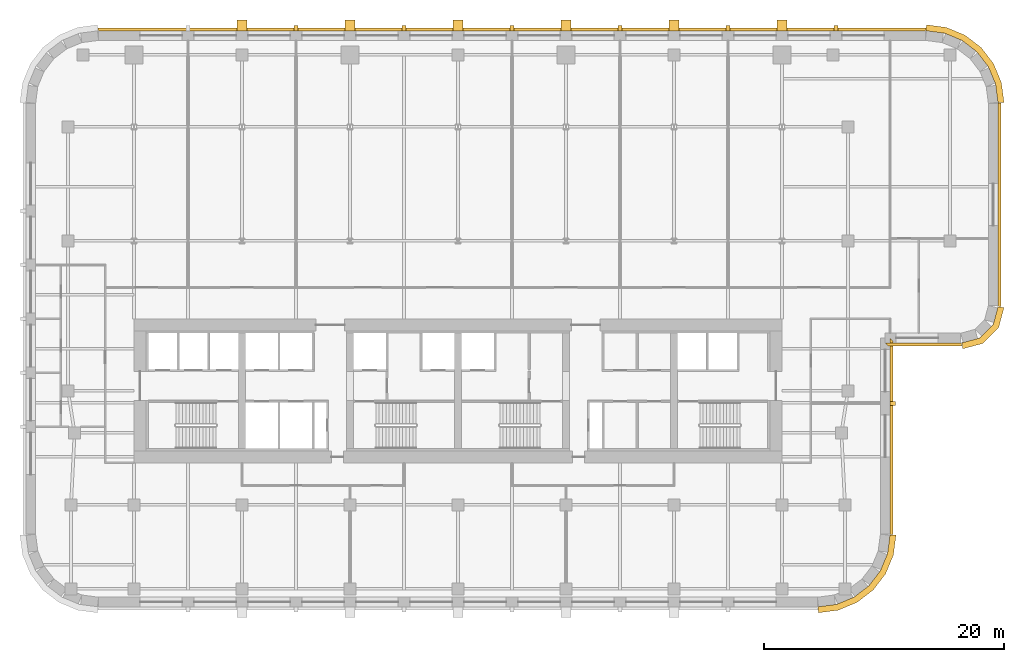
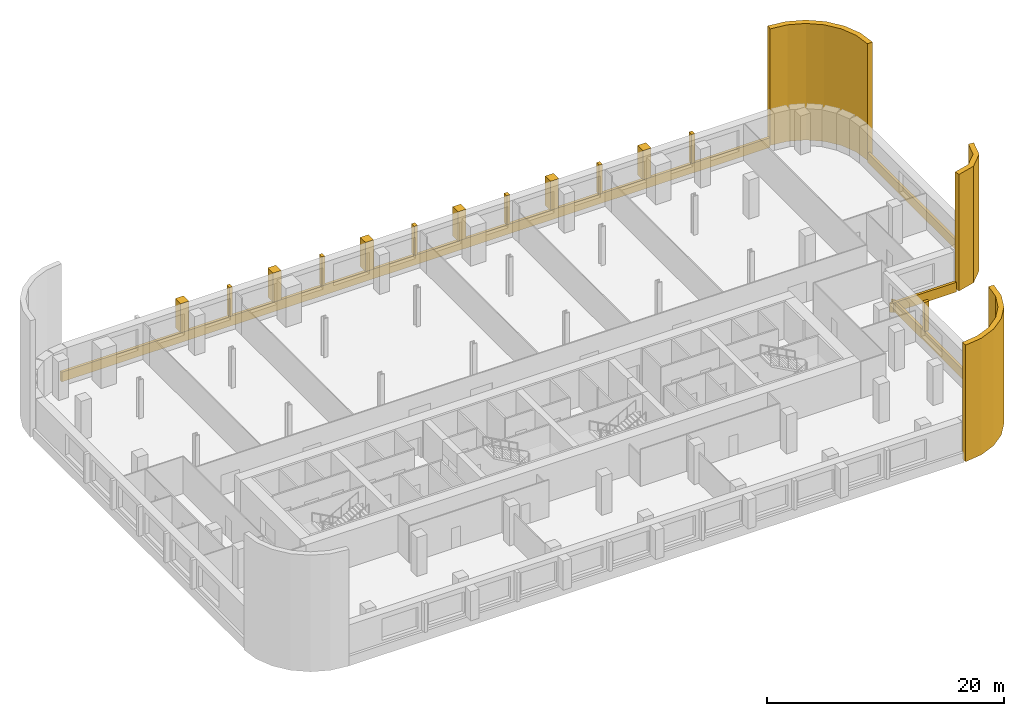
# One storey, part 9 of 9: 20 coverings.
"""IFC4 building model written with IfcOpenShell, lengths in metres."""

from ifc_helpers import new_model, si_unit, direction, frame, origin, place, context, subcontext, project, spatial, polyline, outline, extrude, material, layer, layer_set, type_object, element, save


model = new_model("IFC4")

# Units and contexts
model_context = context("Model", 3, precision=1e-05, world=origin(), true_north=direction((0.0, 1.0)))
body_context = subcontext(model_context, "Body", "Model", "MODEL_VIEW")
ifc_project = project(units=[si_unit("LENGTHUNIT", "METRE"), si_unit("AREAUNIT", "SQUARE_METRE"), si_unit("VOLUMEUNIT", "CUBIC_METRE"), si_unit("PLANEANGLEUNIT", "RADIAN"), si_unit("MASSUNIT", "GRAM", prefix="KILO")], contexts=[model_context])

# Site, building, storey
site_placement = place(None, origin())
site = spatial("IfcSite", under=ifc_project, at=site_placement, CompositionType="ELEMENT")
building_placement = place(site_placement, origin())
building = spatial("IfcBuilding", under=site, at=building_placement, Name="Zellij Exchange Tower", CompositionType="ELEMENT")
storey_placement = place(building_placement, frame((0.0, 0.0, 132.5)))
storey = spatial("IfcBuildingStorey", under=building, at=storey_placement, Name="L29", CompositionType="ELEMENT", Elevation=132.5)

# Coverings
ifc_material = material(Name="Limestone cladding", Category="masonry")
ifc_layer_1 = layer(ifc_material, 0.5)
ifc_layer_set_1 = layer_set([ifc_layer_1], Name="Limestone cladding")
covering_type_1 = type_object("IfcCoveringType", Name="ENV-CV12 Stone corner pier 500", PredefinedType="CLADDING", material=ifc_layer_set_1)
covering_1_placement = place(storey_placement, origin())
element("IfcCovering", 1, at=covering_1_placement, inside=storey, type_object=covering_type_1, Name="Stone corner pier", PredefinedType="CLADDING", context=body_context, shape_type="SweptSolid", body=[
    extrude(outline(polyline([(30.0, -26.0), (31.552978515625, -25.795654296875), (33.0, -25.1962890625), (34.24267578125, -24.24267578125), (35.1962890625, -23.0), (35.795654296875, -21.552978515625), (36.0, -20.0), (36.5, -20.03271484375), (36.28271484375, -21.683349609375), (35.6328125, -23.252197265625), (34.59912109375, -24.59912109375), (33.252197265625, -25.6328125), (31.683349609375, -26.28271484375), (30.03271484375, -26.5), (30.0, -26.0)])), origin(), (0.0, 0.0, 1.0), 12.0),
])
covering_2_placement = place(storey_placement, origin())
element("IfcCovering", 2, at=covering_2_placement, inside=storey, type_object=covering_type_1, Name="Stone corner pier", PredefinedType="CLADDING", context=body_context, shape_type="SweptSolid", body=[
    extrude(outline(polyline([(42.0, -4.0), (43.5, -3.59814453125), (44.59814453125, -2.5), (45.0, -1.0), (45.5, -1.06591796875), (45.04638671875, -2.7587890625), (43.7587890625, -4.04638671875), (42.06591796875, -4.5), (42.0, -4.0)])), origin(), (0.0, 0.0, 1.0), 12.0),
])
covering_3_placement = place(storey_placement, origin())
element("IfcCovering", 3, at=covering_3_placement, inside=storey, type_object=covering_type_1, Name="Stone corner pier", PredefinedType="CLADDING", context=body_context, shape_type="SweptSolid", body=[
    extrude(outline(polyline([(45.0, 16.0), (44.795654296875, 17.552978515625), (44.1962890625, 19.0), (43.24267578125, 20.24267578125), (42.0, 21.1962890625), (40.552978515625, 21.795654296875), (39.0, 22.0), (39.03271484375, 22.5), (40.683349609375, 22.28271484375), (42.252197265625, 21.6328125), (43.59912109375, 20.59912109375), (44.6328125, 19.252197265625), (45.28271484375, 17.683349609375), (45.5, 16.03271484375), (45.0, 16.0)])), origin(), (0.0, 0.0, 1.0), 12.0),
])
covering_type_2 = type_object("IfcCoveringType", Name="ENV-CV5 Stone pier 800x900", PredefinedType="CLADDING", material=ifc_material)
covering_4_placement = place(storey_placement, frame((0.0, 0.0, 0.800048828125)))
element("IfcCovering", 4, at=covering_4_placement, inside=storey, type_object=covering_type_2, Name="Stone pier", PredefinedType="CLADDING", context=body_context, shape_type="SweptSolid", body=[
    extrude(outline(polyline([(27.39990234375, 22.0), (26.60009765625, 22.0), (26.60009765625, 22.89990234375), (27.39990234375, 22.89990234375), (27.39990234375, 22.0)])), origin(), (0.0, 0.0, 1.0), 3.0),
])
covering_5_placement = place(storey_placement, frame((0.0, 0.0, 0.800048828125)))
element("IfcCovering", 5, at=covering_5_placement, inside=storey, type_object=covering_type_2, Name="Stone pier", PredefinedType="CLADDING", context=body_context, shape_type="SweptSolid", body=[
    extrude(outline(polyline([(18.39990234375, 22.0), (17.60009765625, 22.0), (17.60009765625, 22.89990234375), (18.39990234375, 22.89990234375), (18.39990234375, 22.0)])), origin(), (0.0, 0.0, 1.0), 3.0),
])
covering_6_placement = place(storey_placement, frame((0.0, 0.0, 0.800048828125)))
element("IfcCovering", 6, at=covering_6_placement, inside=storey, type_object=covering_type_2, Name="Stone pier", PredefinedType="CLADDING", context=body_context, shape_type="SweptSolid", body=[
    extrude(outline(polyline([(9.39990234375, 22.0), (8.60009765625, 22.0), (8.60009765625, 22.89990234375), (9.39990234375, 22.89990234375), (9.39990234375, 22.0)])), origin(), (0.0, 0.0, 1.0), 3.0),
])
covering_7_placement = place(storey_placement, frame((0.0, 0.0, 0.800048828125)))
element("IfcCovering", 7, at=covering_7_placement, inside=storey, type_object=covering_type_2, Name="Stone pier", PredefinedType="CLADDING", context=body_context, shape_type="SweptSolid", body=[
    extrude(outline(polyline([(0.39990234375, 22.0), (-0.39990234375, 22.0), (-0.39990234375, 22.89990234375), (0.39990234375, 22.89990234375), (0.39990234375, 22.0)])), origin(), (0.0, 0.0, 1.0), 3.0),
])
covering_8_placement = place(storey_placement, frame((0.0, 0.0, 0.800048828125)))
element("IfcCovering", 8, at=covering_8_placement, inside=storey, type_object=covering_type_2, Name="Stone pier", PredefinedType="CLADDING", context=body_context, shape_type="SweptSolid", body=[
    extrude(outline(polyline([(-8.60009765625, 22.0), (-9.39990234375, 22.0), (-9.39990234375, 22.89990234375), (-8.60009765625, 22.89990234375), (-8.60009765625, 22.0)])), origin(), (0.0, 0.0, 1.0), 3.0),
])
covering_9_placement = place(storey_placement, frame((0.0, 0.0, 0.800048828125)))
element("IfcCovering", 9, at=covering_9_placement, inside=storey, type_object=covering_type_2, Name="Stone pier", PredefinedType="CLADDING", context=body_context, shape_type="SweptSolid", body=[
    extrude(outline(polyline([(-17.60009765625, 22.0), (-18.39990234375, 22.0), (-18.39990234375, 22.89990234375), (-17.60009765625, 22.89990234375), (-17.60009765625, 22.0)])), origin(), (0.0, 0.0, 1.0), 3.0),
])
covering_type_3 = type_object("IfcCoveringType", Name="ENV-CV7 Stone pier 300x450", PredefinedType="CLADDING", material=ifc_material)
covering_10_placement = place(storey_placement, frame((0.0, 0.0, 0.800048828125)))
element("IfcCovering", 10, at=covering_10_placement, inside=storey, type_object=covering_type_3, Name="Stone pier", PredefinedType="CLADDING", context=body_context, shape_type="SweptSolid", body=[
    extrude(outline(polyline([(36.0, -9.2080078125), (36.0, -8.907958984375), (36.449951171875, -8.907958984375), (36.449951171875, -9.2080078125), (36.0, -9.2080078125)])), origin(), (0.0, 0.0, 1.0), 3.0),
])
covering_11_placement = place(storey_placement, frame((0.0, 0.0, 0.800048828125)))
element("IfcCovering", 11, at=covering_11_placement, inside=storey, type_object=covering_type_3, Name="Stone pier", PredefinedType="CLADDING", context=body_context, shape_type="SweptSolid", body=[
    extrude(outline(polyline([(31.64990234375, 22.0), (31.35009765625, 22.0), (31.35009765625, 22.449951171875), (31.64990234375, 22.449951171875), (31.64990234375, 22.0)])), origin(), (0.0, 0.0, 1.0), 3.0),
])
covering_12_placement = place(storey_placement, frame((0.0, 0.0, 0.800048828125)))
element("IfcCovering", 12, at=covering_12_placement, inside=storey, type_object=covering_type_3, Name="Stone pier", PredefinedType="CLADDING", context=body_context, shape_type="SweptSolid", body=[
    extrude(outline(polyline([(22.64990234375, 22.0), (22.35009765625, 22.0), (22.35009765625, 22.449951171875), (22.64990234375, 22.449951171875), (22.64990234375, 22.0)])), origin(), (0.0, 0.0, 1.0), 3.0),
])
covering_13_placement = place(storey_placement, frame((0.0, 0.0, 0.800048828125)))
element("IfcCovering", 13, at=covering_13_placement, inside=storey, type_object=covering_type_3, Name="Stone pier", PredefinedType="CLADDING", context=body_context, shape_type="SweptSolid", body=[
    extrude(outline(polyline([(13.64990234375, 22.0), (13.35009765625, 22.0), (13.35009765625, 22.449951171875), (13.64990234375, 22.449951171875), (13.64990234375, 22.0)])), origin(), (0.0, 0.0, 1.0), 3.0),
])
covering_14_placement = place(storey_placement, frame((0.0, 0.0, 0.800048828125)))
element("IfcCovering", 14, at=covering_14_placement, inside=storey, type_object=covering_type_3, Name="Stone pier", PredefinedType="CLADDING", context=body_context, shape_type="SweptSolid", body=[
    extrude(outline(polyline([(4.64990234375, 22.0), (4.35009765625, 22.0), (4.35009765625, 22.449951171875), (4.64990234375, 22.449951171875), (4.64990234375, 22.0)])), origin(), (0.0, 0.0, 1.0), 3.0),
])
covering_15_placement = place(storey_placement, frame((0.0, 0.0, 0.800048828125)))
element("IfcCovering", 15, at=covering_15_placement, inside=storey, type_object=covering_type_3, Name="Stone pier", PredefinedType="CLADDING", context=body_context, shape_type="SweptSolid", body=[
    extrude(outline(polyline([(-4.35009765625, 22.0), (-4.64990234375, 22.0), (-4.64990234375, 22.449951171875), (-4.35009765625, 22.449951171875), (-4.35009765625, 22.0)])), origin(), (0.0, 0.0, 1.0), 3.0),
])
covering_16_placement = place(storey_placement, frame((0.0, 0.0, 0.800048828125)))
element("IfcCovering", 16, at=covering_16_placement, inside=storey, type_object=covering_type_3, Name="Stone pier", PredefinedType="CLADDING", context=body_context, shape_type="SweptSolid", body=[
    extrude(outline(polyline([(-13.35009765625, 22.0), (-13.64990234375, 22.0), (-13.64990234375, 22.449951171875), (-13.35009765625, 22.449951171875), (-13.35009765625, 22.0)])), origin(), (0.0, 0.0, 1.0), 3.0),
])
ifc_layer_2 = layer(ifc_material, 0.25)
ifc_layer_set_2 = layer_set([ifc_layer_2], Name="Limestone cladding")
covering_type_4 = type_object("IfcCoveringType", Name="ENV-CV8 Stone spandrel band 250", PredefinedType="CLADDING", material=ifc_layer_set_2)
covering_17_placement = place(storey_placement, frame((0.0, 0.0, -0.199951171875)))
element("IfcCovering", 17, at=covering_17_placement, inside=storey, type_object=covering_type_4, Name="Stone spandrel band", PredefinedType="CLADDING", context=body_context, shape_type="SweptSolid", body=[
    extrude(outline(polyline([(36.0, -19.973876953125), (36.0, -3.60009765625), (36.25, -3.85009765625), (36.25, -19.990234375), (36.0, -19.973876953125)])), origin(), (0.0, 0.0, 1.0), 1.0),
])
covering_18_placement = place(storey_placement, frame((0.0, 0.0, -0.199951171875)))
element("IfcCovering", 18, at=covering_18_placement, inside=storey, type_object=covering_type_4, Name="Stone spandrel band", PredefinedType="CLADDING", context=body_context, shape_type="SweptSolid", body=[
    extrude(outline(polyline([(35.60009765625, -4.0), (41.947265625, -4.0), (41.980224609375, -4.25), (35.85009765625, -4.25), (35.60009765625, -4.0)])), origin(), (0.0, 0.0, 1.0), 1.0),
])
covering_19_placement = place(storey_placement, frame((0.0, 0.0, -0.199951171875)))
element("IfcCovering", 19, at=covering_19_placement, inside=storey, type_object=covering_type_4, Name="Stone spandrel band", PredefinedType="CLADDING", context=body_context, shape_type="SweptSolid", body=[
    extrude(outline(polyline([(45.0, -0.947265625), (45.0, 15.973876953125), (45.25, 15.990234375), (45.25, -0.980224609375), (45.0, -0.947265625)])), origin(), (0.0, 0.0, 1.0), 1.0),
])
covering_20_placement = place(storey_placement, frame((0.0, 0.0, -0.199951171875)))
element("IfcCovering", 20, at=covering_20_placement, inside=storey, type_object=covering_type_4, Name="Stone spandrel band", PredefinedType="CLADDING", context=body_context, shape_type="SweptSolid", body=[
    extrude(outline(polyline([(38.973876953125, 22.0), (-29.973876953125, 22.0), (-29.990234375, 22.25), (38.990234375, 22.25), (38.973876953125, 22.0)])), origin(), (0.0, 0.0, 1.0), 1.0),
])

save(model, "model.ifc")
